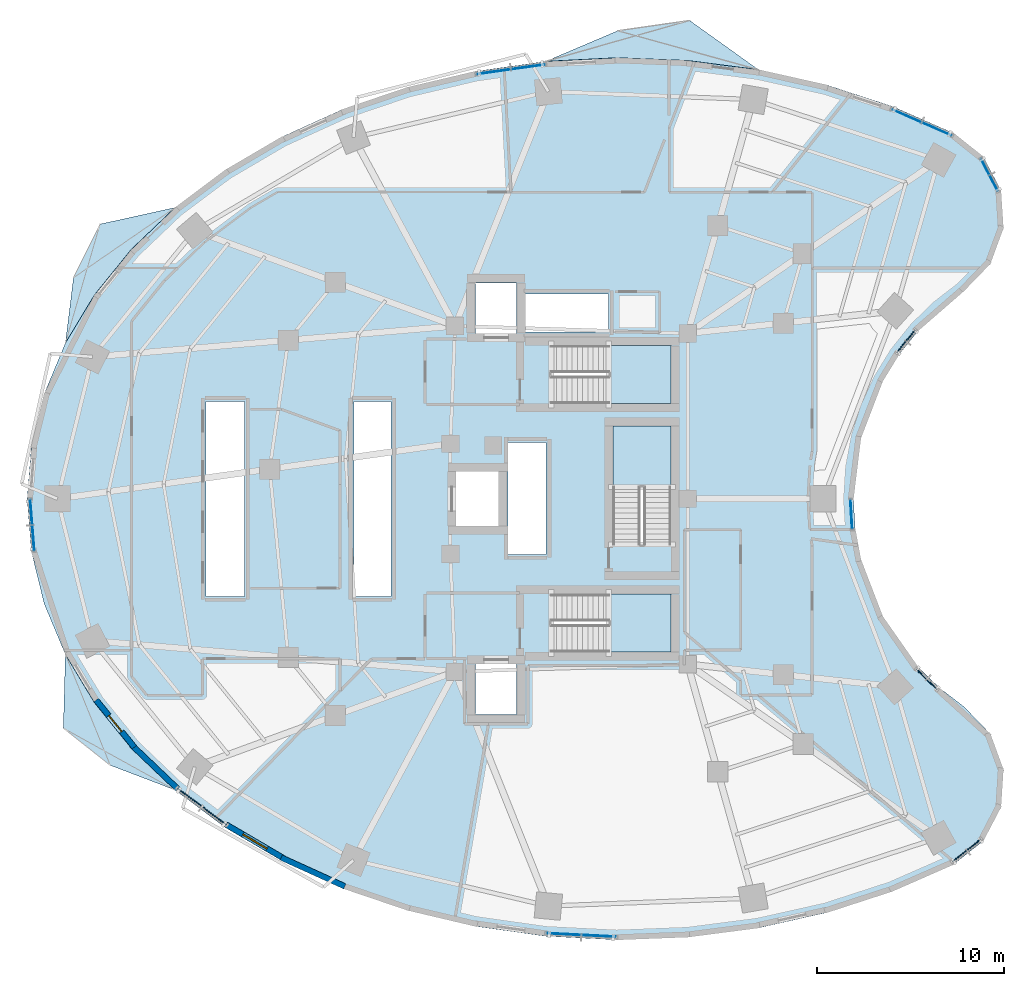
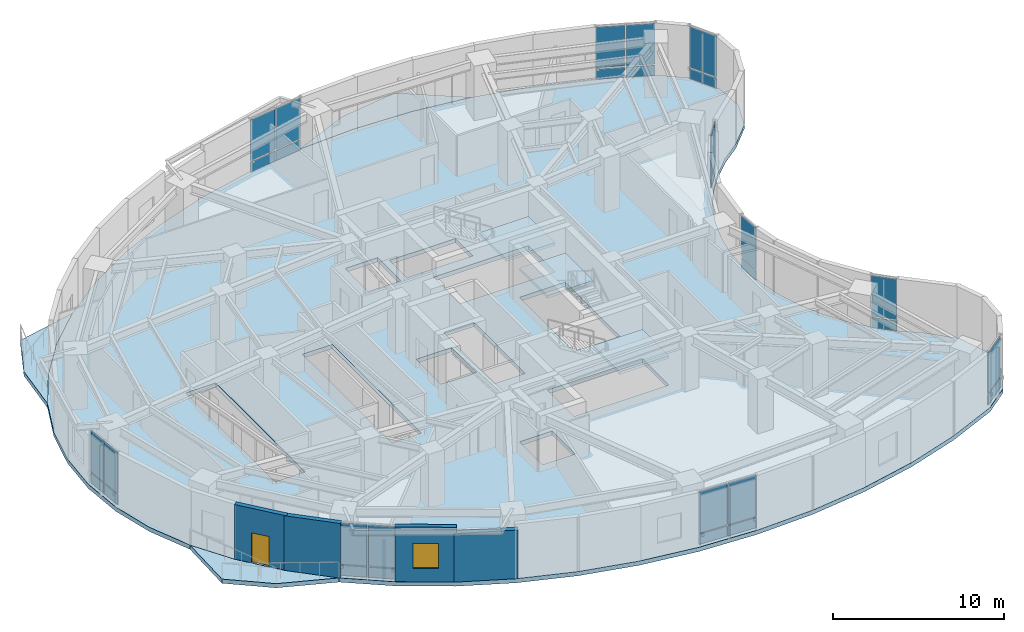
# One storey, part 7 of 14: 30 plates, 7 slabs, 4 walls, 1 door, 1 window, 2 openings, 13 elements without a shape of their own.
"""IFC4 building model written with IfcOpenShell, lengths in metres."""

import ifcopenshell
import ifcopenshell.guid

model = None  # the IFC model being written
_history = None  # IfcOwnerHistory: only IFC2X3 demands one
_inside = {}  # id of a spatial element -> (the spatial element, [elements in it])
_under = {}  # id of a project, library or spatial element -> (it, [spatial elements below it])
_declared = {}  # id of a project -> (the project, [libraries it declares])
_typed = {}  # id of a type object -> (the type object, [elements of that type])
_made_of = {}  # id of a material, layer set ... -> (it, [elements and type objects made of it])


def new_model(schema):
    """Start an empty IFC model of exactly this schema.

    Asked for "IFC4X3", IfcOpenShell would pick the latest addendum, in which some entities
    have other attributes; the version numbers below select the first issue.
    IFC2X3 requires an IfcOwnerHistory on every rooted entity: one is made here for all.
    """
    global model, _history
    if schema == "IFC4X3":
        model = ifcopenshell.file(schema_version=(4, 3, 0, 0))
    else:
        model = ifcopenshell.file(schema=schema)
    _inside.clear()
    _under.clear()
    _declared.clear()
    _typed.clear()
    _made_of.clear()
    _history = None
    if model.schema == "IFC2X3":
        org = make("IfcOrganization", Name="unknown")
        user = make(
            "IfcPersonAndOrganization",
            ThePerson=make("IfcPerson", FamilyName="unknown"),
            TheOrganization=org,
        )
        app = make(
            "IfcApplication",
            ApplicationDeveloper=org,
            Version="unknown",
            ApplicationFullName="unknown",
            ApplicationIdentifier="unknown",
        )
        _history = make(
            "IfcOwnerHistory",
            OwningUser=user,
            OwningApplication=app,
            ChangeAction="ADDED",
            CreationDate=0,
        )
    return model


def make(cls, **values):
    """One entity of the class cls with the attributes given. An attribute that is None is left unset."""
    return model.create_entity(
        cls, **{name: value for name, value in values.items() if value is not None}
    )


def rooted(cls, **values):
    """An entity with a GlobalId (a new one), such as an element, a storey or a relation."""
    return make(cls, GlobalId=ifcopenshell.guid.new(), OwnerHistory=_history, **values)


def si_unit(unit_type, name, prefix=None):
    """IfcSIUnit, for example si_unit("LENGTHUNIT", "METRE", prefix="MILLI")."""
    return make("IfcSIUnit", UnitType=unit_type, Prefix=prefix, Name=name)


def assignment(units):
    """IfcUnitAssignment: the units of a project."""
    return None if units is None else make("IfcUnitAssignment", Units=units)


def point(xyz):
    """IfcCartesianPoint."""
    return None if xyz is None else make("IfcCartesianPoint", Coordinates=xyz)


def direction(xyz):
    """IfcDirection."""
    return None if xyz is None else make("IfcDirection", DirectionRatios=xyz)


def frame(location, z_axis=None, x_axis=None):
    """IfcAxis2Placement3D, a coordinate frame: its origin and axes. An axis left out is left unset."""
    return make(
        "IfcAxis2Placement3D",
        Location=point(location),
        Axis=direction(z_axis),
        RefDirection=direction(x_axis),
    )


def frame_2d(location, x_axis=None):
    """IfcAxis2Placement2D, a coordinate frame in the plane: its origin and x axis."""
    return make(
        "IfcAxis2Placement2D", Location=point(location), RefDirection=direction(x_axis)
    )


def origin():
    """The frame at (0, 0, 0) with its axes left unset."""
    return frame((0.0, 0.0, 0.0))


def origin_2d():
    """The frame at (0, 0) in the plane with its x axis left unset."""
    return frame_2d((0.0, 0.0))


def place(relative_to, where):
    """IfcLocalPlacement: puts the frame where relative to a parent placement (None: the world)."""
    return make(
        "IfcLocalPlacement", PlacementRelTo=relative_to, RelativePlacement=where
    )


def context(
    kind, dimensions, precision=None, world=None, true_north=None, identifier=None
):
    """IfcGeometricRepresentationContext, for example the 3D "Model" context."""
    return make(
        "IfcGeometricRepresentationContext",
        ContextIdentifier=identifier,
        ContextType=kind,
        CoordinateSpaceDimension=dimensions,
        Precision=precision,
        WorldCoordinateSystem=world,
        TrueNorth=true_north,
    )


def subcontext(parent, identifier, kind, view, scale=None):
    """IfcGeometricRepresentationSubContext, for example "Body" below "Model"."""
    return make(
        "IfcGeometricRepresentationSubContext",
        ContextIdentifier=identifier,
        ContextType=kind,
        ParentContext=parent,
        TargetScale=scale,
        TargetView=view,
    )


def project(units=None, contexts=None):
    """IfcProject with its units and contexts."""
    return rooted(
        "IfcProject",
        Name="project",
        RepresentationContexts=contexts,
        UnitsInContext=assignment(units),
    )


def spatial(cls, under=None, at=None, **own):
    """A site, building, storey or space (cls), placed at a placement, below another one or the project."""
    s = rooted(cls, ObjectPlacement=at, **own)
    if under is not None:
        _under.setdefault(under.id(), (under, []))[1].append(s)
    return s


def polyline(points):
    """IfcPolyline through the points."""
    return make("IfcPolyline", Points=[point(p) for p in points])


def profile(cls, at=None, kind="AREA", **sizes):
    """A parametric profile (cls). Its sizes go by their IFC names, for example OverallWidth=200.0."""
    return make(cls, ProfileType=kind, Position=at, **sizes)


def rectangle(**sizes):
    """IfcRectangleProfileDef."""
    return profile("IfcRectangleProfileDef", **sizes)


def outline(outer, holes=None, kind="AREA"):
    """IfcArbitraryClosedProfileDef: a profile drawn as a closed curve; with holes, ...WithVoids."""
    if holes is None:
        return make("IfcArbitraryClosedProfileDef", ProfileType=kind, OuterCurve=outer)
    return make(
        "IfcArbitraryProfileDefWithVoids",
        ProfileType=kind,
        OuterCurve=outer,
        InnerCurves=holes,
    )


def extrude(swept, where, along, depth):
    """IfcExtrudedAreaSolid: the profile swept, set in the frame where, extruded along a direction by depth."""
    return make(
        "IfcExtrudedAreaSolid",
        SweptArea=swept,
        Position=where,
        ExtrudedDirection=direction(along),
        Depth=depth,
    )


def shape(context_of_items, identifier, shape_type, items):
    """IfcShapeRepresentation: the items that make up one representation, for example the "Body"."""
    return make(
        "IfcShapeRepresentation",
        ContextOfItems=context_of_items,
        RepresentationIdentifier=identifier,
        RepresentationType=shape_type,
        Items=items,
    )


def material(Name=None, Category=None):
    """IfcMaterial."""
    return make("IfcMaterial", Name=Name, Category=Category)


def layer(
    of_material, thickness, ventilated=None, Name=None, Category=None, Priority=None
):
    """IfcMaterialLayer: one layer of a wall or slab, of a material (None: an air gap)."""
    return make(
        "IfcMaterialLayer",
        Material=of_material,
        LayerThickness=thickness,
        IsVentilated=ventilated,
        Name=Name,
        Category=Category,
        Priority=Priority,
    )


def layer_set(layers, Name=None):
    """IfcMaterialLayerSet."""
    return make("IfcMaterialLayerSet", MaterialLayers=layers, LayerSetName=Name)


def made_of(thing, what):
    """Note that an element or type object is made of a material, layer set ...; save() writes the relation."""
    if what is not None:
        _made_of.setdefault(what.id(), (what, []))[1].append(thing)
    return thing


def type_object(cls, material=None, **own):
    """A type object (cls), such as IfcWallType, which elements share."""
    return made_of(rooted(cls, **own), material)


def element(
    cls,
    number,
    at=None,
    inside=None,
    cuts=None,
    type_object=None,
    material=None,
    context=None,
    identifier="Body",
    shape_type=None,
    held_by="IfcProductDefinitionShape",
    body=None,
    shapes=None,
    **own,
):
    """One element of the class cls, such as IfcWall. Its Tag is "e" and its number.

    at: its placement. inside: the storey or other place that contains it. cuts: it is an
    opening in that element (IfcRelVoidsElement). A single representation is given by context,
    identifier, shape_type and body (its items); several are given by shapes. held_by: the class
    of the entity that holds the representations. save() writes the other relations.
    """
    e = rooted(cls, Tag="e%d" % number, ObjectPlacement=at, **own)
    if body is not None:
        shapes = [shape(context, identifier, shape_type, body)]
    if shapes is not None:
        e.Representation = make(held_by, Representations=shapes)
    if inside is not None:
        _inside.setdefault(inside.id(), (inside, []))[1].append(e)
    if cuts is not None:
        rooted(
            "IfcRelVoidsElement", RelatingBuildingElement=cuts, RelatedOpeningElement=e
        )
    if type_object is not None:
        _typed.setdefault(type_object.id(), (type_object, []))[1].append(e)
    return made_of(e, material)


def fill(opening, filler):
    """IfcRelFillsElement: the door or window that sits in an opening."""
    return rooted(
        "IfcRelFillsElement",
        RelatingOpeningElement=opening,
        RelatedBuildingElement=filler,
    )


def aggregate(whole, parts):
    """IfcRelAggregates: a whole, such as a stair, and the parts it consists of."""
    return rooted("IfcRelAggregates", RelatingObject=whole, RelatedObjects=parts)


def save(model, path):
    """Write the relations noted so far, then the file.

    IfcRelAggregates (storeys below a building ...), IfcRelContainedInSpatialStructure (elements
    in a storey), IfcRelDefinesByType, IfcRelAssociatesMaterial and IfcRelDeclares: one each for
    every whole, place, type object, material and project.
    """
    for whole, parts in _under.values():
        aggregate(whole, parts)
    for where, things in _inside.values():
        rooted(
            "IfcRelContainedInSpatialStructure",
            RelatedElements=things,
            RelatingStructure=where,
        )
    for kind, things in _typed.values():
        rooted("IfcRelDefinesByType", RelatedObjects=things, RelatingType=kind)
    for what, things in _made_of.values():
        rooted("IfcRelAssociatesMaterial", RelatedObjects=things, RelatingMaterial=what)
    for by, libraries in _declared.values():
        rooted("IfcRelDeclares", RelatingContext=by, RelatedDefinitions=libraries)
    model.write(path)


model = new_model("IFC4")

# Units and contexts
model_context = context("Model", 3, precision=1e-05, world=origin(), true_north=direction((0.0, 1.0)))
body_context = subcontext(model_context, "Body", "Model", "MODEL_VIEW")
ifc_project = project(units=[si_unit("LENGTHUNIT", "METRE"), si_unit("AREAUNIT", "SQUARE_METRE"), si_unit("VOLUMEUNIT", "CUBIC_METRE"), si_unit("PLANEANGLEUNIT", "RADIAN"), si_unit("MASSUNIT", "GRAM", prefix="KILO")], contexts=[model_context])

# Site, building, storey
site_placement = place(None, origin())
site = spatial("IfcSite", under=ifc_project, at=site_placement, CompositionType="ELEMENT")
building_placement = place(site_placement, origin())
building = spatial("IfcBuilding", under=site, at=building_placement, Name="Korentha Bioscience Tower", CompositionType="ELEMENT")
storey_placement = place(building_placement, frame((0.0, 0.0, 46.800048828125)))
storey = spatial("IfcBuildingStorey", under=building, at=storey_placement, Name="L10", CompositionType="ELEMENT", Elevation=46.800048828125)

# Curtain wall, plates
ifc_material_1 = material(Name="Thermally Broken Aluminium Frame", Category="aluminium")
ifc_layer_1 = layer(ifc_material_1, 0.219970703125, Name="Thermally Broken Aluminium Frame")
ifc_layer_set_1 = layer_set([ifc_layer_1], Name="Thermally Broken Aluminium Frame (CW-T2)")
curtain_wall_type_1 = type_object("IfcCurtainWallType", Name="Solar-Screened Lab Unitised Curtain Wall CW-T2", PredefinedType="USERDEFINED", material=ifc_layer_set_1)
curtain_wall_1_placement = place(storey_placement, origin())
curtain_wall_1 = element("IfcCurtainWall", 1, at=curtain_wall_1_placement, inside=storey, type_object=curtain_wall_type_1, Name="L10 Curtain Wall 01", ObjectType="UNITISED", PredefinedType="USERDEFINED")
ifc_material_2 = material(Name="Triple-Glazed Low-E Insulated Glass", Category="glass")
ifc_layer_2 = layer(ifc_material_2, 0.0439453125, Name="Triple-Glazed Low-E Insulated Glass")
ifc_layer_set_2 = layer_set([ifc_layer_2], Name="Triple-Glazed Low-E Insulated Glass (GL-44)")
plate_type = type_object("IfcPlateType", Name="Glazed Panel 44mm", PredefinedType="CURTAIN_PANEL", material=ifc_layer_set_2)
plate_1_placement = place(storey_placement, frame((50.893310546875, 46.780029296875, 0.08984375), z_axis=(0.0, 0.0, 1.0), x_axis=(-0.91593909057, 0.401317308828, 0.0)))
plate_1 = element("IfcPlate", 2, at=plate_1_placement, type_object=plate_type, Name="CW-L10-01 Bay 1 Glazed Panel 1", PredefinedType="CURTAIN_PANEL", context=body_context, shape_type="SweptSolid", body=[
    extrude(rectangle(XDim=1.701171875, YDim=0.0439453125, at=origin_2d()), origin(), (0.0, 0.0, 1.0), 0.715087890625),
])
plate_2_placement = place(storey_placement, frame((50.893310546875, 46.780029296875, 0.89501953125), z_axis=(0.0, 0.0, 1.0), x_axis=(-0.91593909057, 0.401317308828, 0.0)))
plate_2 = element("IfcPlate", 3, at=plate_2_placement, type_object=plate_type, Name="CW-L10-01 Bay 1 Glazed Panel 2", PredefinedType="CURTAIN_PANEL", context=body_context, shape_type="SweptSolid", body=[
    extrude(rectangle(XDim=1.701171875, YDim=0.0439453125, at=origin_2d()), origin(), (0.0, 0.0, 1.0), 2.9150390625),
])
plate_3_placement = place(storey_placement, frame((49.25244140625, 47.498779296875, 0.08984375), z_axis=(0.0, 0.0, 1.0), x_axis=(-0.91593909057, 0.401317308828, 0.0)))
plate_3 = element("IfcPlate", 4, at=plate_3_placement, type_object=plate_type, Name="CW-L10-01 Bay 2 Glazed Panel 1", PredefinedType="CURTAIN_PANEL", context=body_context, shape_type="SweptSolid", body=[
    extrude(rectangle(XDim=1.701171875, YDim=0.0439453125, at=origin_2d()), origin(), (0.0, 0.0, 1.0), 0.715087890625),
])
plate_4_placement = place(storey_placement, frame((49.25244140625, 47.498779296875, 0.89501953125), z_axis=(0.0, 0.0, 1.0), x_axis=(-0.91593909057, 0.401317308828, 0.0)))
plate_4 = element("IfcPlate", 5, at=plate_4_placement, type_object=plate_type, Name="CW-L10-01 Bay 2 Glazed Panel 2", PredefinedType="CURTAIN_PANEL", context=body_context, shape_type="SweptSolid", body=[
    extrude(rectangle(XDim=1.701171875, YDim=0.0439453125, at=origin_2d()), origin(), (0.0, 0.0, 1.0), 2.9150390625),
])
aggregate(curtain_wall_1, [plate_1, plate_2, plate_3, plate_4])

curtain_wall_2_placement = place(storey_placement, origin())
curtain_wall_2 = element("IfcCurtainWall", 6, at=curtain_wall_2_placement, inside=storey, type_object=curtain_wall_type_1, Name="L10 Curtain Wall 07", ObjectType="UNITISED", PredefinedType="USERDEFINED")
plate_5_placement = place(storey_placement, frame((29.0224609375, 50.11572265625, 0.08984375), z_axis=(0.0, 0.0, 1.0), x_axis=(-0.990167372968, -0.139887717511, 0.0)))
plate_5 = element("IfcPlate", 7, at=plate_5_placement, type_object=plate_type, Name="CW-L10-07 Bay 1 Glazed Panel 1", PredefinedType="CURTAIN_PANEL", context=body_context, shape_type="SweptSolid", body=[
    extrude(rectangle(XDim=1.800537109375, YDim=0.0439453125, at=origin_2d()), origin(), (0.0, 0.0, 1.0), 0.715087890625),
])
plate_6_placement = place(storey_placement, frame((29.0224609375, 50.11572265625, 0.89501953125), z_axis=(0.0, 0.0, 1.0), x_axis=(-0.990167372968, -0.139887717511, 0.0)))
plate_6 = element("IfcPlate", 8, at=plate_6_placement, type_object=plate_type, Name="CW-L10-07 Bay 1 Glazed Panel 2", PredefinedType="CURTAIN_PANEL", context=body_context, shape_type="SweptSolid", body=[
    extrude(rectangle(XDim=1.800537109375, YDim=0.0439453125, at=origin_2d()), origin(), (0.0, 0.0, 1.0), 2.9150390625),
])
plate_7_placement = place(storey_placement, frame((27.150634765625, 49.851318359375, 0.08984375), z_axis=(0.0, 0.0, 1.0), x_axis=(-0.990167372968, -0.139887717511, 0.0)))
plate_7 = element("IfcPlate", 9, at=plate_7_placement, type_object=plate_type, Name="CW-L10-07 Bay 2 Glazed Panel 1", PredefinedType="CURTAIN_PANEL", context=body_context, shape_type="SweptSolid", body=[
    extrude(rectangle(XDim=1.800537109375, YDim=0.0439453125, at=origin_2d()), origin(), (0.0, 0.0, 1.0), 0.715087890625),
])
plate_8_placement = place(storey_placement, frame((27.150634765625, 49.851318359375, 0.89501953125), z_axis=(0.0, 0.0, 1.0), x_axis=(-0.990167372968, -0.139887717511, 0.0)))
plate_8 = element("IfcPlate", 10, at=plate_8_placement, type_object=plate_type, Name="CW-L10-07 Bay 2 Glazed Panel 2", PredefinedType="CURTAIN_PANEL", context=body_context, shape_type="SweptSolid", body=[
    extrude(rectangle(XDim=1.800537109375, YDim=0.0439453125, at=origin_2d()), origin(), (0.0, 0.0, 1.0), 2.9150390625),
])
aggregate(curtain_wall_2, [plate_5, plate_6, plate_7, plate_8])

curtain_wall_3_placement = place(storey_placement, origin())
curtain_wall_3 = element("IfcCurtainWall", 11, at=curtain_wall_3_placement, inside=storey, type_object=curtain_wall_type_1, Name="L10 Curtain Wall 19", ObjectType="UNITISED", PredefinedType="USERDEFINED")
plate_9_placement = place(storey_placement, frame((2.4169921875, 26.302734375, 0.08984375), z_axis=(0.0, 0.0, 1.0), x_axis=(0.080820466375, -0.996728675325, 0.0)))
plate_9 = element("IfcPlate", 12, at=plate_9_placement, type_object=plate_type, Name="CW-L10-19 Bay 1 Glazed Panel 1", PredefinedType="CURTAIN_PANEL", context=body_context, shape_type="SweptSolid", body=[
    extrude(rectangle(XDim=1.324951171875, YDim=0.0439453125, at=origin_2d()), origin(), (0.0, 0.0, 1.0), 0.715087890625),
])
plate_10_placement = place(storey_placement, frame((2.4169921875, 26.302734375, 0.89501953125), z_axis=(0.0, 0.0, 1.0), x_axis=(0.080820466375, -0.996728675325, 0.0)))
plate_10 = element("IfcPlate", 13, at=plate_10_placement, type_object=plate_type, Name="CW-L10-19 Bay 1 Glazed Panel 2", PredefinedType="CURTAIN_PANEL", context=body_context, shape_type="SweptSolid", body=[
    extrude(rectangle(XDim=1.324951171875, YDim=0.0439453125, at=origin_2d()), origin(), (0.0, 0.0, 1.0), 2.9150390625),
])
plate_11_placement = place(storey_placement, frame((2.531494140625, 24.892333984375, 0.08984375), z_axis=(0.0, 0.0, 1.0), x_axis=(0.080820466375, -0.996728675325, 0.0)))
plate_11 = element("IfcPlate", 14, at=plate_11_placement, type_object=plate_type, Name="CW-L10-19 Bay 2 Glazed Panel 1", PredefinedType="CURTAIN_PANEL", context=body_context, shape_type="SweptSolid", body=[
    extrude(rectangle(XDim=1.324951171875, YDim=0.0439453125, at=origin_2d()), origin(), (0.0, 0.0, 1.0), 0.715087890625),
])
plate_12_placement = place(storey_placement, frame((2.531494140625, 24.892333984375, 0.89501953125), z_axis=(0.0, 0.0, 1.0), x_axis=(0.080820466375, -0.996728675325, 0.0)))
plate_12 = element("IfcPlate", 15, at=plate_12_placement, type_object=plate_type, Name="CW-L10-19 Bay 2 Glazed Panel 2", PredefinedType="CURTAIN_PANEL", context=body_context, shape_type="SweptSolid", body=[
    extrude(rectangle(XDim=1.324951171875, YDim=0.0439453125, at=origin_2d()), origin(), (0.0, 0.0, 1.0), 2.9150390625),
])
aggregate(curtain_wall_3, [plate_9, plate_10, plate_11, plate_12])

curtain_wall_4_placement = place(storey_placement, origin())
curtain_wall_4 = element("IfcCurtainWall", 16, at=curtain_wall_4_placement, inside=storey, type_object=curtain_wall_type_1, Name="L10 Curtain Wall 25", ObjectType="UNITISED", PredefinedType="USERDEFINED")
plate_13_placement = place(storey_placement, frame((10.892578125, 11.037109375, 0.08984375), z_axis=(0.0, 0.0, 1.0), x_axis=(0.800797909614, -0.598934644145, 0.0)))
plate_13 = element("IfcPlate", 17, at=plate_13_placement, type_object=plate_type, Name="CW-L10-25 Bay 1 Glazed Panel 1", PredefinedType="CURTAIN_PANEL", context=body_context, shape_type="SweptSolid", body=[
    extrude(rectangle(XDim=1.58544921875, YDim=0.0439453125, at=origin_2d()), origin(), (0.0, 0.0, 1.0), 0.715087890625),
])
plate_14_placement = place(storey_placement, frame((10.892578125, 11.037109375, 0.89501953125), z_axis=(0.0, 0.0, 1.0), x_axis=(0.800797909614, -0.598934644145, 0.0)))
plate_14 = element("IfcPlate", 18, at=plate_14_placement, type_object=plate_type, Name="CW-L10-25 Bay 1 Glazed Panel 2", PredefinedType="CURTAIN_PANEL", context=body_context, shape_type="SweptSolid", body=[
    extrude(rectangle(XDim=1.58544921875, YDim=0.0439453125, at=origin_2d()), origin(), (0.0, 0.0, 1.0), 2.9150390625),
])
plate_15_placement = place(storey_placement, frame((12.234375, 10.033447265625, 0.08984375), z_axis=(0.0, 0.0, 1.0), x_axis=(0.800797909614, -0.598934644145, 0.0)))
plate_15 = element("IfcPlate", 19, at=plate_15_placement, type_object=plate_type, Name="CW-L10-25 Bay 2 Glazed Panel 1", PredefinedType="CURTAIN_PANEL", context=body_context, shape_type="SweptSolid", body=[
    extrude(rectangle(XDim=1.58544921875, YDim=0.0439453125, at=origin_2d()), origin(), (0.0, 0.0, 1.0), 0.715087890625),
])
plate_16_placement = place(storey_placement, frame((12.234375, 10.033447265625, 0.89501953125), z_axis=(0.0, 0.0, 1.0), x_axis=(0.800797909614, -0.598934644145, 0.0)))
plate_16 = element("IfcPlate", 20, at=plate_16_placement, type_object=plate_type, Name="CW-L10-25 Bay 2 Glazed Panel 2", PredefinedType="CURTAIN_PANEL", context=body_context, shape_type="SweptSolid", body=[
    extrude(rectangle(XDim=1.58544921875, YDim=0.0439453125, at=origin_2d()), origin(), (0.0, 0.0, 1.0), 2.9150390625),
])
aggregate(curtain_wall_4, [plate_13, plate_14, plate_15, plate_16])

curtain_wall_5_placement = place(storey_placement, origin())
curtain_wall_5 = element("IfcCurtainWall", 21, at=curtain_wall_5_placement, inside=storey, type_object=curtain_wall_type_1, Name="L10 Curtain Wall 31", ObjectType="UNITISED", PredefinedType="USERDEFINED")
plate_17_placement = place(storey_placement, frame((30.90478515625, 3.70458984375, 0.08984375), z_axis=(0.0, 0.0, 1.0), x_axis=(0.998730551641, -0.050371472279, 0.0)))
plate_17 = element("IfcPlate", 22, at=plate_17_placement, type_object=plate_type, Name="CW-L10-31 Bay 1 Glazed Panel 1", PredefinedType="CURTAIN_PANEL", context=body_context, shape_type="SweptSolid", body=[
    extrude(rectangle(XDim=1.8134765625, YDim=0.0439453125, at=origin_2d()), origin(), (0.0, 0.0, 1.0), 0.715087890625),
])
plate_18_placement = place(storey_placement, frame((30.90478515625, 3.70458984375, 0.89501953125), z_axis=(0.0, 0.0, 1.0), x_axis=(0.998730551641, -0.050371472279, 0.0)))
plate_18 = element("IfcPlate", 23, at=plate_18_placement, type_object=plate_type, Name="CW-L10-31 Bay 1 Glazed Panel 2", PredefinedType="CURTAIN_PANEL", context=body_context, shape_type="SweptSolid", body=[
    extrude(rectangle(XDim=1.8134765625, YDim=0.0439453125, at=origin_2d()), origin(), (0.0, 0.0, 1.0), 2.9150390625),
])
plate_19_placement = place(storey_placement, frame((32.805908203125, 3.608642578125, 0.08984375), z_axis=(0.0, 0.0, 1.0), x_axis=(0.998730551641, -0.050371472279, 0.0)))
plate_19 = element("IfcPlate", 24, at=plate_19_placement, type_object=plate_type, Name="CW-L10-31 Bay 2 Glazed Panel 1", PredefinedType="CURTAIN_PANEL", context=body_context, shape_type="SweptSolid", body=[
    extrude(rectangle(XDim=1.8134765625, YDim=0.0439453125, at=origin_2d()), origin(), (0.0, 0.0, 1.0), 0.715087890625),
])
plate_20_placement = place(storey_placement, frame((32.805908203125, 3.608642578125, 0.89501953125), z_axis=(0.0, 0.0, 1.0), x_axis=(0.998730551641, -0.050371472279, 0.0)))
plate_20 = element("IfcPlate", 25, at=plate_20_placement, type_object=plate_type, Name="CW-L10-31 Bay 2 Glazed Panel 2", PredefinedType="CURTAIN_PANEL", context=body_context, shape_type="SweptSolid", body=[
    extrude(rectangle(XDim=1.8134765625, YDim=0.0439453125, at=origin_2d()), origin(), (0.0, 0.0, 1.0), 2.9150390625),
])
aggregate(curtain_wall_5, [plate_17, plate_18, plate_19, plate_20])

curtain_wall_6_placement = place(storey_placement, origin())
curtain_wall_6 = element("IfcCurtainWall", 26, at=curtain_wall_6_placement, inside=storey, type_object=curtain_wall_type_1, Name="L10 Curtain Wall 37", ObjectType="UNITISED", PredefinedType="USERDEFINED")
plate_21_placement = place(storey_placement, frame((52.4755859375, 8.19140625, 0.08984375), z_axis=(0.0, 0.0, 1.0), x_axis=(0.782287851332, 0.62291710336, 0.0)))
plate_21 = element("IfcPlate", 27, at=plate_21_placement, type_object=plate_type, Name="CW-L10-37 Bay 1 Glazed Panel 1", PredefinedType="CURTAIN_PANEL", context=body_context, shape_type="SweptSolid", body=[
    extrude(rectangle(XDim=1.927734375, YDim=0.0439453125, at=origin_2d()), origin(), (0.0, 0.0, 1.0), 0.715087890625),
])
plate_22_placement = place(storey_placement, frame((52.4755859375, 8.19140625, 0.89501953125), z_axis=(0.0, 0.0, 1.0), x_axis=(0.782287851332, 0.62291710336, 0.0)))
plate_22 = element("IfcPlate", 28, at=plate_22_placement, type_object=plate_type, Name="CW-L10-37 Bay 1 Glazed Panel 2", PredefinedType="CURTAIN_PANEL", context=body_context, shape_type="SweptSolid", body=[
    extrude(rectangle(XDim=1.927734375, YDim=0.0439453125, at=origin_2d()), origin(), (0.0, 0.0, 1.0), 2.9150390625),
])
aggregate(curtain_wall_6, [plate_21, plate_22])

curtain_wall_7_placement = place(storey_placement, origin())
curtain_wall_7 = element("IfcCurtainWall", 29, at=curtain_wall_7_placement, inside=storey, type_object=curtain_wall_type_1, Name="L10 Curtain Wall 43", ObjectType="UNITISED", PredefinedType="USERDEFINED")
plate_23_placement = place(storey_placement, frame((50.333251953125, 17.335693359375, 0.08984375), z_axis=(0.0, 0.0, 1.0), x_axis=(-0.713279246754, 0.700879958445, 0.0)))
plate_23 = element("IfcPlate", 30, at=plate_23_placement, type_object=plate_type, Name="CW-L10-43 Bay 1 Glazed Panel 1", PredefinedType="CURTAIN_PANEL", context=body_context, shape_type="SweptSolid", body=[
    extrude(rectangle(XDim=1.537841796875, YDim=0.0439453125, at=origin_2d()), origin(), (0.0, 0.0, 1.0), 0.715087890625),
])
plate_24_placement = place(storey_placement, frame((50.333251953125, 17.335693359375, 0.89501953125), z_axis=(0.0, 0.0, 1.0), x_axis=(-0.713279246754, 0.700879958445, 0.0)))
plate_24 = element("IfcPlate", 31, at=plate_24_placement, type_object=plate_type, Name="CW-L10-43 Bay 1 Glazed Panel 2", PredefinedType="CURTAIN_PANEL", context=body_context, shape_type="SweptSolid", body=[
    extrude(rectangle(XDim=1.537841796875, YDim=0.0439453125, at=origin_2d()), origin(), (0.0, 0.0, 1.0), 2.9150390625),
])
aggregate(curtain_wall_7, [plate_23, plate_24])

ifc_layer_3 = layer(ifc_material_1, 0.219970703125, Name="Thermally Broken Aluminium Frame")
ifc_layer_set_3 = layer_set([ifc_layer_3], Name="Thermally Broken Aluminium Frame (CW-T1)")
curtain_wall_type_2 = type_object("IfcCurtainWallType", Name="Standard Bioscience Lab Unitised Curtain Wall CW-T1", PredefinedType="USERDEFINED", material=ifc_layer_set_3)
curtain_wall_8_placement = place(storey_placement, origin())
curtain_wall_8 = element("IfcCurtainWall", 32, at=curtain_wall_8_placement, inside=storey, type_object=curtain_wall_type_2, Name="L10 Curtain Wall 49", ObjectType="UNITISED", PredefinedType="USERDEFINED")
plate_25_placement = place(storey_placement, frame((46.305908203125, 26.1728515625, 0.08984375), z_axis=(0.0, 0.0, 1.0), x_axis=(-0.061008272998, 0.998137260413, 0.0)))
plate_25 = element("IfcPlate", 33, at=plate_25_placement, type_object=plate_type, Name="CW-L10-49 Bay 1 Glazed Panel 1", PredefinedType="CURTAIN_PANEL", context=body_context, shape_type="SweptSolid", body=[
    extrude(rectangle(XDim=1.537841796875, YDim=0.0439453125, at=origin_2d()), origin(), (0.0, 0.0, 1.0), 0.715087890625),
])
plate_26_placement = place(storey_placement, frame((46.305908203125, 26.1728515625, 0.89501953125), z_axis=(0.0, 0.0, 1.0), x_axis=(-0.061008272998, 0.998137260413, 0.0)))
plate_26 = element("IfcPlate", 34, at=plate_26_placement, type_object=plate_type, Name="CW-L10-49 Bay 1 Glazed Panel 2", PredefinedType="CURTAIN_PANEL", context=body_context, shape_type="SweptSolid", body=[
    extrude(rectangle(XDim=1.537841796875, YDim=0.0439453125, at=origin_2d()), origin(), (0.0, 0.0, 1.0), 2.9150390625),
])
aggregate(curtain_wall_8, [plate_25, plate_26])

curtain_wall_9_placement = place(storey_placement, origin())
curtain_wall_9 = element("IfcCurtainWall", 35, at=curtain_wall_9_placement, inside=storey, type_object=curtain_wall_type_1, Name="L10 Curtain Wall 55", ObjectType="UNITISED", PredefinedType="USERDEFINED")
plate_27_placement = place(storey_placement, frame((49.226318359375, 35.434814453125, 0.08984375), z_axis=(0.0, 0.0, 1.0), x_axis=(0.622520324648, 0.782603632371, 0.0)))
plate_27 = element("IfcPlate", 36, at=plate_27_placement, type_object=plate_type, Name="CW-L10-55 Bay 1 Glazed Panel 1", PredefinedType="CURTAIN_PANEL", context=body_context, shape_type="SweptSolid", body=[
    extrude(rectangle(XDim=1.537841796875, YDim=0.0439453125, at=origin_2d()), origin(), (0.0, 0.0, 1.0), 0.715087890625),
])
plate_28_placement = place(storey_placement, frame((49.226318359375, 35.434814453125, 0.89501953125), z_axis=(0.0, 0.0, 1.0), x_axis=(0.622520324648, 0.782603632371, 0.0)))
plate_28 = element("IfcPlate", 37, at=plate_28_placement, type_object=plate_type, Name="CW-L10-55 Bay 1 Glazed Panel 2", PredefinedType="CURTAIN_PANEL", context=body_context, shape_type="SweptSolid", body=[
    extrude(rectangle(XDim=1.537841796875, YDim=0.0439453125, at=origin_2d()), origin(), (0.0, 0.0, 1.0), 2.9150390625),
])
aggregate(curtain_wall_9, [plate_27, plate_28])

curtain_wall_10_placement = place(storey_placement, origin())
curtain_wall_10 = element("IfcCurtainWall", 38, at=curtain_wall_10_placement, inside=storey, type_object=curtain_wall_type_1, Name="L10 Curtain Wall 61", ObjectType="UNITISED", PredefinedType="USERDEFINED")
plate_29_placement = place(storey_placement, frame((53.6962890625, 44.32958984375, 0.08984375), z_axis=(0.0, 0.0, 1.0), x_axis=(-0.463008597697, 0.886353788539, 0.0)))
plate_29 = element("IfcPlate", 39, at=plate_29_placement, type_object=plate_type, Name="CW-L10-61 Bay 1 Glazed Panel 1", PredefinedType="CURTAIN_PANEL", context=body_context, shape_type="SweptSolid", body=[
    extrude(rectangle(XDim=1.927734375, YDim=0.0439453125, at=origin_2d()), origin(), (0.0, 0.0, 1.0), 0.715087890625),
])
plate_30_placement = place(storey_placement, frame((53.6962890625, 44.32958984375, 0.89501953125), z_axis=(0.0, 0.0, 1.0), x_axis=(-0.463008597697, 0.886353788539, 0.0)))
plate_30 = element("IfcPlate", 40, at=plate_30_placement, type_object=plate_type, Name="CW-L10-61 Bay 1 Glazed Panel 2", PredefinedType="CURTAIN_PANEL", context=body_context, shape_type="SweptSolid", body=[
    extrude(rectangle(XDim=1.927734375, YDim=0.0439453125, at=origin_2d()), origin(), (0.0, 0.0, 1.0), 2.9150390625),
])
aggregate(curtain_wall_10, [plate_29, plate_30])

# Slab
ifc_material_3 = material(Name="Concrete C50", Category="concrete")
ifc_layer_4 = layer(ifc_material_3, 0.300048828125, Name="Concrete C50")
ifc_layer_set_4 = layer_set([ifc_layer_4], Name="Concrete C50 (SL-L300)")
slab_type_1 = type_object("IfcSlabType", Name="Laboratory Vibration-Controlled Slab 300", PredefinedType="FLOOR", material=ifc_layer_set_4)
slab_1_placement = place(storey_placement, frame((0.0, 0.0, -0.300048828125)))
element("IfcSlab", 41, at=slab_1_placement, inside=storey, type_object=slab_type_1, Name="L10 Tower Structural Floor Slab", PredefinedType="FLOOR", context=body_context, shape_type="SweptSolid", body=[
    extrude(outline(polyline([(51.7822265625, 46.565185546875), (48.49169921875, 48.0068359375), (44.9921875, 49.145263671875), (41.33349609375, 49.9638671875), (37.569091796875, 50.450927734375), (33.75341796875, 50.599365234375), (29.94091796875, 50.406982421875), (26.187255859375, 49.876708984375), (22.54638671875, 49.01611328125), (19.07080078125, 47.837646484375), (15.810791015625, 46.358154296875), (12.8134765625, 44.599365234375), (10.1220703125, 42.58642578125), (7.775390625, 40.348388671875), (5.807373046875, 37.91748046875), (4.246337890625, 35.3291015625), (3.114990234375, 32.62060546875), (2.4296875, 29.830810546875), (2.199951171875, 27.0), (2.4296875, 24.169189453125), (3.114990234375, 21.37939453125), (4.246337890625, 18.6708984375), (5.807373046875, 16.08251953125), (7.775390625, 13.651611328125), (10.1220703125, 11.41357421875), (12.8134765625, 9.400634765625), (15.810791015625, 7.641845703125), (19.07080078125, 6.162353515625), (22.54638671875, 4.98388671875), (26.187255859375, 4.123291015625), (29.94091796875, 3.593017578125), (33.75341796875, 3.400634765625), (37.569091796875, 3.549072265625), (41.33349609375, 4.0361328125), (44.9921875, 4.854736328125), (48.49169921875, 5.9931640625), (51.7822265625, 7.434814453125), (53.368408203125, 8.69775390625), (54.307373046875, 10.4951171875), (54.4384765625, 12.518310546875), (53.739013671875, 14.421630859375), (52.3291015625, 15.878662109375), (51.029541015625, 16.875732421875), (49.861328125, 18.023681640625), (48.841796875, 19.3056640625), (47.98583984375, 20.7021484375), (47.306640625, 22.192626953125), (46.814208984375, 23.754638671875), (46.515625, 25.365234375), (46.415771484375, 27.0), (46.515625, 28.634765625), (46.814208984375, 30.245361328125), (47.306640625, 31.807373046875), (47.98583984375, 33.2978515625), (48.841796875, 34.6943359375), (49.861328125, 35.976318359375), (51.029541015625, 37.124267578125), (52.3291015625, 38.121337890625), (53.739013671875, 39.578369140625), (54.4384765625, 41.481689453125), (54.307373046875, 43.5048828125), (53.368408203125, 45.30224609375), (51.7822265625, 46.565185546875)]), holes=[polyline([(30.25, 32.10009765625), (36.64990234375, 32.10009765625), (36.64990234375, 35.199951171875), (30.25, 35.199951171875), (30.25, 32.10009765625)]), polyline([(30.25, 18.800048828125), (36.64990234375, 18.800048828125), (36.64990234375, 21.89990234375), (30.25, 21.89990234375), (30.25, 18.800048828125)]), polyline([(36.64990234375, 24.550048828125), (36.64990234375, 30.89990234375), (33.550048828125, 30.89990234375), (33.550048828125, 24.550048828125), (36.64990234375, 24.550048828125)]), polyline([(11.780029296875, 21.780029296875), (13.820068359375, 21.780029296875), (13.820068359375, 32.219970703125), (11.780029296875, 32.219970703125), (11.780029296875, 21.780029296875)]), polyline([(19.679931640625, 21.780029296875), (21.669921875, 21.780029296875), (21.669921875, 32.219970703125), (19.679931640625, 32.219970703125), (19.679931640625, 21.780029296875)]), polyline([(27.929931640625, 24.030029296875), (29.969970703125, 24.030029296875), (29.969970703125, 30.02001953125), (27.929931640625, 30.02001953125), (27.929931640625, 24.030029296875)]), polyline([(28.860107421875, 35.93994140625), (33.31005859375, 35.93994140625), (33.31005859375, 37.9599609375), (28.860107421875, 37.9599609375), (28.860107421875, 35.93994140625)]), polyline([(26.199951171875, 15.449951171875), (28.39990234375, 15.449951171875), (28.39990234375, 18.14990234375), (26.199951171875, 18.14990234375), (26.199951171875, 15.449951171875)]), polyline([(26.199951171875, 35.85009765625), (28.39990234375, 35.85009765625), (28.39990234375, 38.550048828125), (26.199951171875, 38.550048828125), (26.199951171875, 35.85009765625)]), polyline([(25.14990234375, 25.550048828125), (27.550048828125, 25.550048828125), (27.550048828125, 28.449951171875), (25.14990234375, 28.449951171875), (25.14990234375, 25.550048828125)])]), origin(), (0.0, 0.0, 1.0), 0.300048828125),
])

# Stair, slab
ifc_material_4 = material(Name="Precast Concrete C50", Category="concrete")
stair_type = type_object("IfcStairType", Name="Core Exit Dog-Leg Stair 1450", PredefinedType="HALF_TURN_STAIR", material=ifc_material_4)
stair_1_placement = place(storey_placement, origin())
stair_1 = element("IfcStair", 42, at=stair_1_placement, inside=storey, type_object=stair_type, Name="L10 Tower North Pressurized Exit Stair ST-1", PredefinedType="HALF_TURN_STAIR")
ifc_layer_5 = layer(ifc_material_3, 0.199951171875, Name="Concrete C50")
ifc_layer_set_5 = layer_set([ifc_layer_5], Name="Concrete C50 (SL-LND)")
slab_type_2 = type_object("IfcSlabType", Name="Landing Slab 200", PredefinedType="LANDING", material=ifc_layer_set_5)
slab_2_placement = place(storey_placement, frame((0.0, 0.0, 1.89990234375)))
slab_2 = element("IfcSlab", 43, at=slab_2_placement, type_object=slab_type_2, Name="ST-1 landing 1", PredefinedType="LANDING", context=body_context, shape_type="SweptSolid", body=[
    extrude(outline(polyline([(33.330078125, 32.10009765625), (36.64990234375, 32.10009765625), (36.64990234375, 35.199951171875), (33.330078125, 35.199951171875), (33.330078125, 32.10009765625)])), origin(), (0.0, 0.0, 1.0), 0.199951171875),
])
aggregate(stair_1, [slab_2])

stair_2_placement = place(storey_placement, origin())
stair_2 = element("IfcStair", 44, at=stair_2_placement, inside=storey, type_object=stair_type, Name="L10 Tower South Pressurized Exit Stair ST-2", PredefinedType="HALF_TURN_STAIR")
slab_3_placement = place(storey_placement, frame((0.0, 0.0, 1.89990234375)))
slab_3 = element("IfcSlab", 45, at=slab_3_placement, type_object=slab_type_2, Name="ST-2 landing 1", PredefinedType="LANDING", context=body_context, shape_type="SweptSolid", body=[
    extrude(outline(polyline([(33.330078125, 18.800048828125), (36.64990234375, 18.800048828125), (36.64990234375, 21.89990234375), (33.330078125, 21.89990234375), (33.330078125, 18.800048828125)])), origin(), (0.0, 0.0, 1.0), 0.199951171875),
])
aggregate(stair_2, [slab_3])

stair_3_placement = place(storey_placement, origin())
stair_3 = element("IfcStair", 46, at=stair_3_placement, inside=storey, type_object=stair_type, Name="L10 Tower Central Pressurized Exit Stair ST-3", PredefinedType="HALF_TURN_STAIR")
slab_4_placement = place(storey_placement, frame((0.0, 0.0, 1.89990234375)))
slab_4 = element("IfcSlab", 47, at=slab_4_placement, type_object=slab_type_2, Name="ST-3 landing 1", PredefinedType="LANDING", context=body_context, shape_type="SweptSolid", body=[
    extrude(outline(polyline([(36.64990234375, 27.6298828125), (36.64990234375, 30.89990234375), (33.550048828125, 30.89990234375), (33.550048828125, 27.6298828125), (36.64990234375, 27.6298828125)])), origin(), (0.0, 0.0, 1.0), 0.199951171875),
])
aggregate(stair_3, [slab_4])

# Slabs
ifc_layer_6 = layer(ifc_material_3, 0.300048828125, Name="Concrete C50")
ifc_layer_set_6 = layer_set([ifc_layer_6], Name="Concrete C50 (BS-240)")
slab_type_3 = type_object("IfcSlabType", Name="Sawtooth Sun-Ledge Balcony Slab 240", PredefinedType="USERDEFINED", material=ifc_layer_set_6)
slab_5_placement = place(storey_placement, frame((0.0, 0.0, -0.300048828125)))
element("IfcSlab", 48, at=slab_5_placement, inside=storey, type_object=slab_type_3, Name="L10 Sun-Ledge Balcony 01", ObjectType="BALCONY", PredefinedType="USERDEFINED", context=body_context, shape_type="SweptSolid", body=[
    extrude(outline(polyline([(29.94091796875, 50.406982421875), (33.75341796875, 50.599365234375), (37.569091796875, 50.450927734375), (41.33349609375, 49.9638671875), (37.65283203125, 52.599365234375), (33.809814453125, 52.048095703125), (29.94091796875, 50.406982421875)])), origin(), (0.0, 0.0, 1.0), 0.300048828125),
])
slab_6_placement = place(storey_placement, frame((0.0, 0.0, -0.300048828125)))
element("IfcSlab", 49, at=slab_6_placement, inside=storey, type_object=slab_type_3, Name="L10 Sun-Ledge Balcony 02", ObjectType="BALCONY", PredefinedType="USERDEFINED", context=body_context, shape_type="SweptSolid", body=[
    extrude(outline(polyline([(4.246337890625, 35.3291015625), (5.807373046875, 37.91748046875), (7.775390625, 40.348388671875), (10.1220703125, 42.58642578125), (6.104248046875, 41.701171875), (4.680419921875, 38.830078125), (4.246337890625, 35.3291015625)])), origin(), (0.0, 0.0, 1.0), 0.300048828125),
])
slab_7_placement = place(storey_placement, frame((0.0, 0.0, -0.300048828125)))
element("IfcSlab", 50, at=slab_7_placement, inside=storey, type_object=slab_type_3, Name="L10 Sun-Ledge Balcony 03", ObjectType="BALCONY", PredefinedType="USERDEFINED", context=body_context, shape_type="SweptSolid", body=[
    extrude(outline(polyline([(10.1220703125, 11.41357421875), (7.775390625, 13.651611328125), (5.807373046875, 16.08251953125), (4.246337890625, 18.6708984375), (4.13623046875, 14.7294921875), (6.6484375, 12.7392578125), (10.1220703125, 11.41357421875)])), origin(), (0.0, 0.0, 1.0), 0.300048828125),
])

# Wall, opening, door
ifc_material_5 = material(Name="Honed Limestone Precast Concrete C40", Category="masonry")
ifc_layer_7 = layer(ifc_material_5, 0.300048828125, Name="Honed Limestone Precast Concrete C40")
ifc_layer_set_7 = layer_set([ifc_layer_7], Name="Honed Limestone Precast Concrete C40 (EW-ST300)")
wall_type = type_object("IfcWallType", Name="Honed Limestone Cavity Spandrel Wall 300", PredefinedType="STANDARD", material=ifc_layer_set_7)
wall_1_placement = place(storey_placement, frame((5.893798828125, 16.229736328125, 0.0), z_axis=(0.0, 0.0, 1.0), x_axis=(0.629295540187, -0.777166084631, 0.0)))
wall_1 = element("IfcWall", 51, at=wall_1_placement, inside=storey, type_object=wall_type, Name="L10 Balcony Threshold Wall 03", PredefinedType="STANDARD", context=body_context, shape_type="SweptSolid", body=[
    extrude(rectangle(XDim=3.24755859375, YDim=0.300048828125, at=frame_2d((1.623779296875, 0.0))), origin(), (0.0, 0.0, 1.0), 3.89990234375),
])
opening_1_placement = place(wall_1_placement, frame((1.07373046875, 0.0, 0.0)))
opening_1 = element("IfcOpeningElement", 52, at=opening_1_placement, cuts=wall_1, Name="Opening BD-11L", PredefinedType="OPENING", context=body_context, shape_type="SweptSolid", body=[
    extrude(rectangle(XDim=1.10009765625, YDim=2.14990234375, at=frame_2d((0.550048828125, 1.074951171875))), frame((0.0, 0.1650390625, 0.0), z_axis=(0.0, -1.0, 0.0), x_axis=(1.0, 0.0, 0.0)), (0.0, 0.0, 1.0), 0.329833984375),
])
ifc_material_6 = material(Name="Thermally Broken Glazed Aluminium", Category="aluminium")
door_type = type_object("IfcDoorType", Name="Balcony Terrace Glazed Door 1100x2150 Left", OperationType="SINGLE_SWING_LEFT", PredefinedType="DOOR", material=ifc_material_6)
door_placement = place(opening_1_placement, origin())
door = element("IfcDoor", 53, at=door_placement, inside=storey, type_object=door_type, Name="L10 Balcony Access Door 03", OperationType="SINGLE_SWING_LEFT", OverallHeight=2.14990234375, OverallWidth=1.10009765625, PredefinedType="DOOR", context=body_context, shape_type="SweptSolid", body=[
    extrude(rectangle(XDim=1.10009765625, YDim=2.14990234375, at=frame_2d((0.550048828125, 1.074951171875))), frame((0.0, 0.02490234375, 0.0), z_axis=(0.0, -1.0, 0.0), x_axis=(1.0, 0.0, 0.0)), (0.0, 0.0, 1.0), 0.050048828125),
])
fill(opening_1, door)

# Wall, opening, window
wall_2_placement = place(storey_placement, frame((12.8427734375, 9.569091796875, 0.0), z_axis=(0.0, 0.0, 1.0), x_axis=(0.862473134325, -0.506102847817, 0.0)))
wall_2 = element("IfcWall", 54, at=wall_2_placement, inside=storey, type_object=wall_type, Name="L10 Honed Limestone Spandrel Wall 26", PredefinedType="STANDARD", context=body_context, shape_type="SweptSolid", body=[
    extrude(rectangle(XDim=3.59521484375, YDim=0.300048828125, at=frame_2d((1.797607421875, 0.0))), origin(), (0.0, 0.0, 1.0), 3.89990234375),
])
opening_2_placement = place(wall_2_placement, frame((1.047607421875, 0.0, 0.949951171875)))
opening_2 = element("IfcOpeningElement", 55, at=opening_2_placement, cuts=wall_2, Name="Opening WN-02", PredefinedType="OPENING", context=body_context, shape_type="SweptSolid", body=[
    extrude(rectangle(XDim=1.5, YDim=1.800048828125, at=frame_2d((0.75, 0.89990234375))), frame((0.0, 0.1650390625, 0.0), z_axis=(0.0, -1.0, 0.0), x_axis=(1.0, 0.0, 0.0)), (0.0, 0.0, 1.0), 0.329833984375),
])
ifc_material_7 = material(Name="Thermally Broken Aluminium Triple Glazing", Category="aluminium")
window_type = type_object("IfcWindowType", Name="Acoustic Operable Office Window 1500x1800", PartitioningType="DOUBLE_PANEL_VERTICAL", PredefinedType="WINDOW", material=ifc_material_7)
window_placement = place(opening_2_placement, origin())
window = element("IfcWindow", 56, at=window_placement, inside=storey, type_object=window_type, Name="L10 Facade Window 26", OverallHeight=1.800048828125, OverallWidth=1.5, PartitioningType="DOUBLE_PANEL_VERTICAL", PredefinedType="WINDOW", context=body_context, shape_type="SweptSolid", body=[
    extrude(rectangle(XDim=1.5, YDim=1.800048828125, at=frame_2d((0.75, 0.89990234375))), frame((0.0, 0.030029296875, 0.0), z_axis=(0.0, -1.0, 0.0), x_axis=(1.0, 0.0, 0.0)), (0.0, 0.0, 1.0), 0.06005859375),
])
fill(opening_2, window)

# Walls
wall_3_placement = place(storey_placement, frame((7.81396484375, 13.80810546875, 0.0), z_axis=(0.0, 0.0, 1.0), x_axis=(0.72369587847, -0.69011902994, 0.0)))
element("IfcWall", 57, at=wall_3_placement, inside=storey, type_object=wall_type, Name="L10 Limestone Perimeter Closure Wall 24", PredefinedType="STANDARD", context=body_context, shape_type="SweptSolid", body=[
    extrude(rectangle(XDim=3.40283203125, YDim=0.300048828125, at=frame_2d((1.701416015625, 0.0))), origin(), (0.0, 0.0, 1.0), 3.89990234375),
])
wall_4_placement = place(storey_placement, frame((15.7958984375, 7.80224609375, 0.0), z_axis=(0.0, 0.0, 1.0), x_axis=(0.910623406862, -0.413237233166, 0.0)))
element("IfcWall", 58, at=wall_4_placement, inside=storey, type_object=wall_type, Name="L10 Limestone Perimeter Closure Wall 27", PredefinedType="STANDARD", context=body_context, shape_type="SweptSolid", body=[
    extrude(rectangle(XDim=3.73974609375, YDim=0.300048828125, at=frame_2d((1.869873046875, 0.0))), origin(), (0.0, 0.0, 1.0), 3.469970703125),
])

save(model, "model.ifc")
